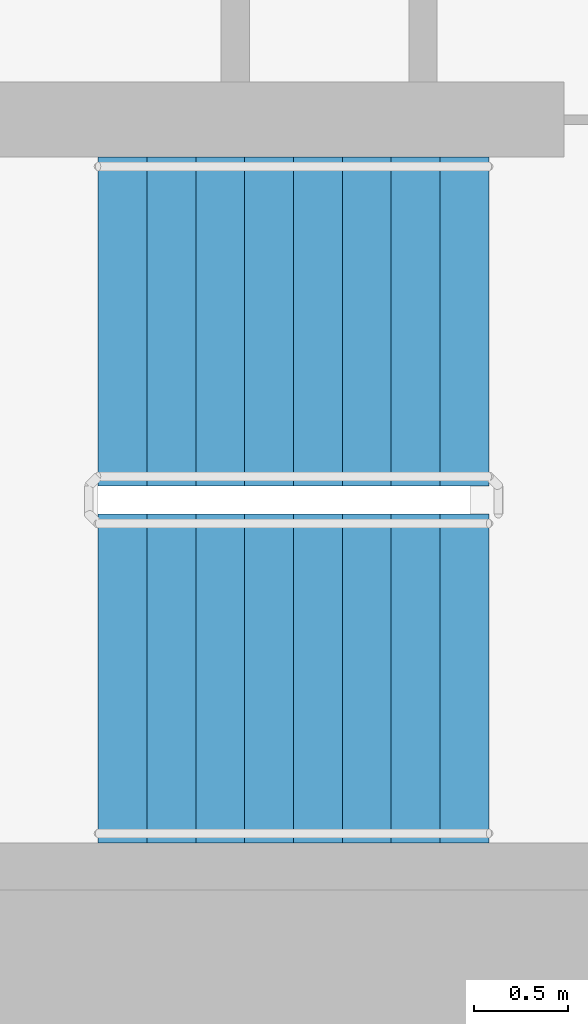
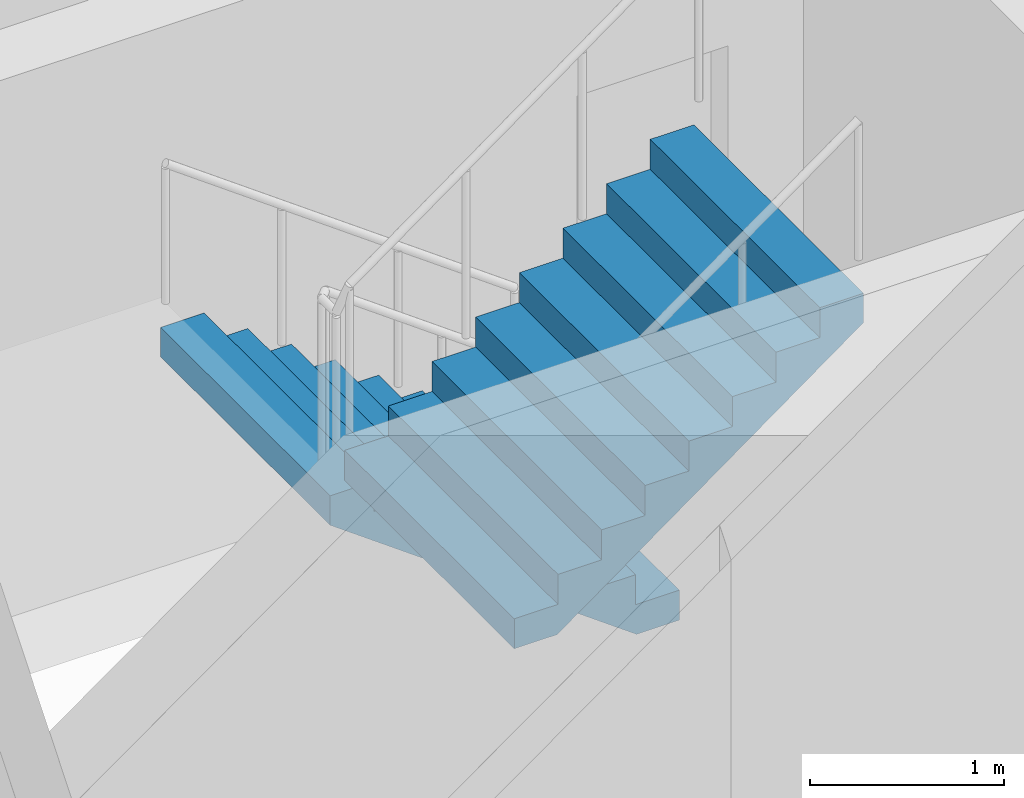
# One storey, part 15 of 21: 2 stair flights, 1 element without a shape of its own.
"""IFC4 building model written with IfcOpenShell, lengths in metres."""

from ifc_helpers import new_model, si_unit, direction, frame, origin, place, context, subcontext, project, spatial, faceted_brep, material, type_object, element, aggregate, save


model = new_model("IFC4")

# Units and contexts
model_context = context("Model", 3, precision=1e-05, world=origin(), true_north=direction((0.0, 1.0)))
body_context = subcontext(model_context, "Body", "Model", "MODEL_VIEW")
ifc_project = project(units=[si_unit("LENGTHUNIT", "METRE"), si_unit("AREAUNIT", "SQUARE_METRE"), si_unit("VOLUMEUNIT", "CUBIC_METRE"), si_unit("PLANEANGLEUNIT", "RADIAN"), si_unit("MASSUNIT", "GRAM", prefix="KILO")], contexts=[model_context])

# Site, building, storey
site_placement = place(None, origin())
site = spatial("IfcSite", under=ifc_project, at=site_placement, CompositionType="ELEMENT")
building_placement = place(site_placement, origin())
building = spatial("IfcBuilding", under=site, at=building_placement, Name="Ipe Terrace Towers", CompositionType="ELEMENT")
storey_placement = place(building_placement, frame((0.0, 0.0, 114.0)))
storey = spatial("IfcBuildingStorey", under=building, at=storey_placement, Name="L31", CompositionType="ELEMENT", Elevation=114.0)

# Stair, stair flights
ifc_material_1 = material(Name="Concrete C30/37", Category="concrete")
stair_type = type_object("IfcStairType", Name="Protected exit stair", PredefinedType="HALF_TURN_STAIR", material=ifc_material_1)
stair_placement = place(storey_placement, origin())
stair = element("IfcStair", 1, at=stair_placement, inside=storey, type_object=stair_type, Name="L31 Exit stair T1-C2", PredefinedType="HALF_TURN_STAIR")
ifc_material_2 = material(Name="Concrete C30/37", Category="concrete")
stair_flight_type = type_object("IfcStairFlightType", Name="Exit stair flight 1750", PredefinedType="STRAIGHT", material=ifc_material_2)
stair_flight_1_placement = place(storey_placement, frame((-45.699951171875, -2.77490234375, 0.0), z_axis=(0.0, 0.0, 1.0), x_axis=(-1.0, 0.0, 0.0)))
stair_flight_1 = element("IfcStairFlight", 2, at=stair_flight_1_placement, type_object=stair_flight_type, Name="T1-ST2 flight 1", NumberOfRisers=9, NumberOfTreads=8, PredefinedType="STRAIGHT", RiserHeight=0.188888889, TreadLength=0.26, context=body_context, shape_type="Brep", body=[
    faceted_brep([(0.255126953125, -0.875, 0.0), (2.080078125, -0.875, 1.325927734375), (2.080078125, -0.875, 1.51123046875), (1.820068359375, -0.875, 1.51123046875), (1.820068359375, -0.875, 1.322265625), (1.56005859375, -0.875, 1.322265625), (1.56005859375, -0.875, 1.13330078125), (1.300048828125, -0.875, 1.13330078125), (1.300048828125, -0.875, 0.9443359375), (1.0400390625, -0.875, 0.9443359375), (1.0400390625, -0.875, 0.755615234375), (0.780029296875, -0.875, 0.755615234375), (0.780029296875, -0.875, 0.566650390625), (0.52001953125, -0.875, 0.566650390625), (0.52001953125, -0.875, 0.377685546875), (0.260009765625, -0.875, 0.377685546875), (0.260009765625, -0.875, 0.18896484375), (0.0, -0.875, 0.18896484375), (0.0, -0.875, 0.0), (0.0, 0.875, 0.0), (0.0, 0.875, 0.18896484375), (0.260009765625, 0.875, 0.18896484375), (0.260009765625, 0.875, 0.377685546875), (0.52001953125, 0.875, 0.377685546875), (0.52001953125, 0.875, 0.566650390625), (0.780029296875, 0.875, 0.566650390625), (0.780029296875, 0.875, 0.755615234375), (1.0400390625, 0.875, 0.755615234375), (1.0400390625, 0.875, 0.9443359375), (1.300048828125, 0.875, 0.9443359375), (1.300048828125, 0.875, 1.13330078125), (1.56005859375, 0.875, 1.13330078125), (1.56005859375, 0.875, 1.322265625), (1.820068359375, 0.875, 1.322265625), (1.820068359375, 0.875, 1.51123046875), (2.080078125, 0.875, 1.51123046875), (2.080078125, 0.875, 1.325927734375), (0.255126953125, 0.875, 0.0), (0.0, -0.300048828125, 0.18896484375), (0.0, -0.1201171875, 0.18896484375), (0.0, -0.06005859375, 0.18896484375), (0.0, -0.030029296875, 0.18896484375), (0.0, -0.010009765625, 0.18896484375), (0.0, 0.0, 0.18896484375), (0.0, 0.010009765625, 0.18896484375), (0.0, 0.030029296875, 0.18896484375), (0.0, 0.06005859375, 0.18896484375), (0.0, 0.1201171875, 0.18896484375), (0.0, 0.300048828125, 0.18896484375), (0.0, 0.300048828125, 0.0), (0.0, 0.1201171875, 0.0), (0.0, 0.06005859375, 0.0), (0.0, 0.030029296875, 0.0), (0.0, 0.010009765625, 0.0), (0.0, 0.0, 0.0), (0.0, -0.010009765625, 0.0), (0.0, -0.030029296875, 0.0), (0.0, -0.06005859375, 0.0), (0.0, -0.1201171875, 0.0), (0.0, -0.300048828125, 0.0), (0.260009765625, -0.300048828125, 0.18896484375), (0.260009765625, -0.1201171875, 0.18896484375), (0.260009765625, -0.06005859375, 0.18896484375), (0.260009765625, -0.030029296875, 0.18896484375), (0.260009765625, -0.010009765625, 0.18896484375), (0.260009765625, 0.0, 0.18896484375), (0.260009765625, 0.010009765625, 0.18896484375), (0.260009765625, 0.030029296875, 0.18896484375), (0.260009765625, 0.06005859375, 0.18896484375), (0.260009765625, 0.1201171875, 0.18896484375), (0.260009765625, 0.300048828125, 0.18896484375), (0.260009765625, -0.300048828125, 0.377685546875), (0.260009765625, -0.1201171875, 0.377685546875), (0.260009765625, -0.06005859375, 0.377685546875), (0.260009765625, -0.030029296875, 0.377685546875), (0.260009765625, -0.010009765625, 0.377685546875), (0.260009765625, 0.0, 0.377685546875), (0.260009765625, 0.010009765625, 0.377685546875), (0.260009765625, 0.030029296875, 0.377685546875), (0.260009765625, 0.06005859375, 0.377685546875), (0.260009765625, 0.1201171875, 0.377685546875), (0.260009765625, 0.300048828125, 0.377685546875), (0.52001953125, -0.300048828125, 0.377685546875), (0.52001953125, -0.1201171875, 0.377685546875), (0.52001953125, -0.06005859375, 0.377685546875), (0.52001953125, -0.030029296875, 0.377685546875), (0.52001953125, -0.010009765625, 0.377685546875), (0.52001953125, 0.0, 0.377685546875), (0.52001953125, 0.010009765625, 0.377685546875), (0.52001953125, 0.030029296875, 0.377685546875), (0.52001953125, 0.06005859375, 0.377685546875), (0.52001953125, 0.1201171875, 0.377685546875), (0.52001953125, 0.300048828125, 0.377685546875), (0.52001953125, -0.300048828125, 0.566650390625), (0.52001953125, -0.1201171875, 0.566650390625), (0.52001953125, -0.06005859375, 0.566650390625), (0.52001953125, -0.030029296875, 0.566650390625), (0.52001953125, -0.010009765625, 0.566650390625), (0.52001953125, 0.0, 0.566650390625), (0.52001953125, 0.010009765625, 0.566650390625), (0.52001953125, 0.030029296875, 0.566650390625), (0.52001953125, 0.06005859375, 0.566650390625), (0.52001953125, 0.1201171875, 0.566650390625), (0.52001953125, 0.300048828125, 0.566650390625), (0.780029296875, -0.300048828125, 0.566650390625), (0.780029296875, -0.1201171875, 0.566650390625), (0.780029296875, -0.06005859375, 0.566650390625), (0.780029296875, -0.030029296875, 0.566650390625), (0.780029296875, -0.010009765625, 0.566650390625), (0.780029296875, 0.0, 0.566650390625), (0.780029296875, 0.010009765625, 0.566650390625), (0.780029296875, 0.030029296875, 0.566650390625), (0.780029296875, 0.06005859375, 0.566650390625), (0.780029296875, 0.1201171875, 0.566650390625), (0.780029296875, 0.300048828125, 0.566650390625), (0.780029296875, -0.300048828125, 0.755615234375), (0.780029296875, -0.1201171875, 0.755615234375), (0.780029296875, -0.06005859375, 0.755615234375), (0.780029296875, -0.030029296875, 0.755615234375), (0.780029296875, -0.010009765625, 0.755615234375), (0.780029296875, 0.0, 0.755615234375), (0.780029296875, 0.010009765625, 0.755615234375), (0.780029296875, 0.030029296875, 0.755615234375), (0.780029296875, 0.06005859375, 0.755615234375), (0.780029296875, 0.1201171875, 0.755615234375), (0.780029296875, 0.300048828125, 0.755615234375), (1.0400390625, -0.300048828125, 0.755615234375), (1.0400390625, -0.1201171875, 0.755615234375), (1.0400390625, -0.06005859375, 0.755615234375), (1.0400390625, -0.030029296875, 0.755615234375), (1.0400390625, -0.010009765625, 0.755615234375), (1.0400390625, 0.0, 0.755615234375), (1.0400390625, 0.010009765625, 0.755615234375), (1.0400390625, 0.030029296875, 0.755615234375), (1.0400390625, 0.06005859375, 0.755615234375), (1.0400390625, 0.1201171875, 0.755615234375), (1.0400390625, 0.300048828125, 0.755615234375), (1.0400390625, -0.300048828125, 0.9443359375), (1.0400390625, -0.1201171875, 0.9443359375), (1.0400390625, -0.06005859375, 0.9443359375), (1.0400390625, -0.030029296875, 0.9443359375), (1.0400390625, -0.010009765625, 0.9443359375), (1.0400390625, 0.0, 0.9443359375), (1.0400390625, 0.010009765625, 0.9443359375), (1.0400390625, 0.030029296875, 0.9443359375), (1.0400390625, 0.06005859375, 0.9443359375), (1.0400390625, 0.1201171875, 0.9443359375), (1.0400390625, 0.300048828125, 0.9443359375), (1.300048828125, -0.300048828125, 0.9443359375), (1.300048828125, -0.1201171875, 0.9443359375), (1.300048828125, -0.06005859375, 0.9443359375), (1.300048828125, -0.030029296875, 0.9443359375), (1.300048828125, -0.010009765625, 0.9443359375), (1.300048828125, 0.0, 0.9443359375), (1.300048828125, 0.010009765625, 0.9443359375), (1.300048828125, 0.030029296875, 0.9443359375), (1.300048828125, 0.06005859375, 0.9443359375), (1.300048828125, 0.1201171875, 0.9443359375), (1.300048828125, 0.300048828125, 0.9443359375), (1.300048828125, -0.300048828125, 1.13330078125), (1.300048828125, -0.1201171875, 1.13330078125), (1.300048828125, -0.06005859375, 1.13330078125), (1.300048828125, -0.030029296875, 1.13330078125), (1.300048828125, -0.010009765625, 1.13330078125), (1.300048828125, 0.0, 1.13330078125), (1.300048828125, 0.010009765625, 1.13330078125), (1.300048828125, 0.030029296875, 1.13330078125), (1.300048828125, 0.06005859375, 1.13330078125), (1.300048828125, 0.1201171875, 1.13330078125), (1.300048828125, 0.300048828125, 1.13330078125), (1.56005859375, -0.300048828125, 1.13330078125), (1.56005859375, -0.1201171875, 1.13330078125), (1.56005859375, -0.06005859375, 1.13330078125), (1.56005859375, -0.030029296875, 1.13330078125), (1.56005859375, -0.010009765625, 1.13330078125), (1.56005859375, 0.0, 1.13330078125), (1.56005859375, 0.010009765625, 1.13330078125), (1.56005859375, 0.030029296875, 1.13330078125), (1.56005859375, 0.06005859375, 1.13330078125), (1.56005859375, 0.1201171875, 1.13330078125), (1.56005859375, 0.300048828125, 1.13330078125), (1.56005859375, -0.300048828125, 1.322265625), (1.56005859375, -0.1201171875, 1.322265625), (1.56005859375, -0.06005859375, 1.322265625), (1.56005859375, -0.030029296875, 1.322265625), (1.56005859375, -0.010009765625, 1.322265625), (1.56005859375, 0.0, 1.322265625), (1.56005859375, 0.010009765625, 1.322265625), (1.56005859375, 0.030029296875, 1.322265625), (1.56005859375, 0.06005859375, 1.322265625), (1.56005859375, 0.1201171875, 1.322265625), (1.56005859375, 0.300048828125, 1.322265625), (1.820068359375, -0.300048828125, 1.322265625), (1.820068359375, -0.1201171875, 1.322265625), (1.820068359375, -0.06005859375, 1.322265625), (1.820068359375, -0.030029296875, 1.322265625), (1.820068359375, -0.010009765625, 1.322265625), (1.820068359375, 0.0, 1.322265625), (1.820068359375, 0.010009765625, 1.322265625), (1.820068359375, 0.030029296875, 1.322265625), (1.820068359375, 0.06005859375, 1.322265625), (1.820068359375, 0.1201171875, 1.322265625), (1.820068359375, 0.300048828125, 1.322265625), (1.820068359375, -0.300048828125, 1.51123046875), (1.820068359375, -0.1201171875, 1.51123046875), (1.820068359375, -0.06005859375, 1.51123046875), (1.820068359375, -0.030029296875, 1.51123046875), (1.820068359375, -0.010009765625, 1.51123046875), (1.820068359375, 0.0, 1.51123046875), (1.820068359375, 0.010009765625, 1.51123046875), (1.820068359375, 0.030029296875, 1.51123046875), (1.820068359375, 0.06005859375, 1.51123046875), (1.820068359375, 0.1201171875, 1.51123046875), (1.820068359375, 0.300048828125, 1.51123046875), (2.080078125, -0.300048828125, 1.51123046875), (2.080078125, -0.1201171875, 1.51123046875), (2.080078125, -0.06005859375, 1.51123046875), (2.080078125, -0.030029296875, 1.51123046875), (2.080078125, -0.010009765625, 1.51123046875), (2.080078125, 0.0, 1.51123046875), (2.080078125, 0.010009765625, 1.51123046875), (2.080078125, 0.030029296875, 1.51123046875), (2.080078125, 0.06005859375, 1.51123046875), (2.080078125, 0.1201171875, 1.51123046875), (2.080078125, 0.300048828125, 1.51123046875), (2.080078125, -0.300048828125, 1.325927734375), (2.080078125, -0.1201171875, 1.325927734375), (2.080078125, -0.06005859375, 1.325927734375), (2.080078125, -0.030029296875, 1.325927734375), (2.080078125, -0.010009765625, 1.325927734375), (2.080078125, 0.0, 1.325927734375), (2.080078125, 0.010009765625, 1.325927734375), (2.080078125, 0.030029296875, 1.325927734375), (2.080078125, 0.06005859375, 1.325927734375), (2.080078125, 0.1201171875, 1.325927734375), (2.080078125, 0.300048828125, 1.325927734375), (0.255126953125, -0.300048828125, 0.0), (0.255126953125, -0.1201171875, 0.0), (0.255126953125, -0.06005859375, 0.0), (0.255126953125, -0.030029296875, 0.0), (0.255126953125, -0.010009765625, 0.0), (0.255126953125, 0.0, 0.0), (0.255126953125, 0.010009765625, 0.0), (0.255126953125, 0.030029296875, 0.0), (0.255126953125, 0.06005859375, 0.0), (0.255126953125, 0.1201171875, 0.0), (0.255126953125, 0.300048828125, 0.0)], [[[0, 1, 2, 3, 4, 5, 6, 7, 8, 9, 10, 11, 12, 13, 14, 15, 16, 17, 18]], [[19, 20, 21, 22, 23, 24, 25, 26, 27, 28, 29, 30, 31, 32, 33, 34, 35, 36, 37]], [[17, 38, 39, 40, 41, 42, 43, 44, 45, 46, 47, 48, 20, 19, 49, 50, 51, 52, 53, 54, 55, 56, 57, 58, 59, 18]], [[16, 60, 61, 62, 63, 64, 65, 66, 67, 68, 69, 70, 21, 20, 48, 47, 46, 45, 44, 43, 42, 41, 40, 39, 38, 17]], [[15, 71, 72, 73, 74, 75, 76, 77, 78, 79, 80, 81, 22, 21, 70, 69, 68, 67, 66, 65, 64, 63, 62, 61, 60, 16]], [[14, 82, 83, 84, 85, 86, 87, 88, 89, 90, 91, 92, 23, 22, 81, 80, 79, 78, 77, 76, 75, 74, 73, 72, 71, 15]], [[13, 93, 94, 95, 96, 97, 98, 99, 100, 101, 102, 103, 24, 23, 92, 91, 90, 89, 88, 87, 86, 85, 84, 83, 82, 14]], [[12, 104, 105, 106, 107, 108, 109, 110, 111, 112, 113, 114, 25, 24, 103, 102, 101, 100, 99, 98, 97, 96, 95, 94, 93, 13]], [[11, 115, 116, 117, 118, 119, 120, 121, 122, 123, 124, 125, 26, 25, 114, 113, 112, 111, 110, 109, 108, 107, 106, 105, 104, 12]], [[10, 126, 127, 128, 129, 130, 131, 132, 133, 134, 135, 136, 27, 26, 125, 124, 123, 122, 121, 120, 119, 118, 117, 116, 115, 11]], [[9, 137, 138, 139, 140, 141, 142, 143, 144, 145, 146, 147, 28, 27, 136, 135, 134, 133, 132, 131, 130, 129, 128, 127, 126, 10]], [[8, 148, 149, 150, 151, 152, 153, 154, 155, 156, 157, 158, 29, 28, 147, 146, 145, 144, 143, 142, 141, 140, 139, 138, 137, 9]], [[7, 159, 160, 161, 162, 163, 164, 165, 166, 167, 168, 169, 30, 29, 158, 157, 156, 155, 154, 153, 152, 151, 150, 149, 148, 8]], [[6, 170, 171, 172, 173, 174, 175, 176, 177, 178, 179, 180, 31, 30, 169, 168, 167, 166, 165, 164, 163, 162, 161, 160, 159, 7]], [[5, 181, 182, 183, 184, 185, 186, 187, 188, 189, 190, 191, 32, 31, 180, 179, 178, 177, 176, 175, 174, 173, 172, 171, 170, 6]], [[4, 192, 193, 194, 195, 196, 197, 198, 199, 200, 201, 202, 33, 32, 191, 190, 189, 188, 187, 186, 185, 184, 183, 182, 181, 5]], [[3, 203, 204, 205, 206, 207, 208, 209, 210, 211, 212, 213, 34, 33, 202, 201, 200, 199, 198, 197, 196, 195, 194, 193, 192, 4]], [[2, 214, 215, 216, 217, 218, 219, 220, 221, 222, 223, 224, 35, 34, 213, 212, 211, 210, 209, 208, 207, 206, 205, 204, 203, 3]], [[1, 225, 226, 227, 228, 229, 230, 231, 232, 233, 234, 235, 36, 35, 224, 223, 222, 221, 220, 219, 218, 217, 216, 215, 214, 2]], [[0, 236, 237, 238, 239, 240, 241, 242, 243, 244, 245, 246, 37, 36, 235, 234, 233, 232, 231, 230, 229, 228, 227, 226, 225, 1]], [[18, 59, 58, 57, 56, 55, 54, 53, 52, 51, 50, 49, 19, 37, 246, 245, 244, 243, 242, 241, 240, 239, 238, 237, 236, 0]]]),
])
stair_flight_2_placement = place(storey_placement, frame((-47.780029296875, -4.675048828125, 1.699951171875), z_axis=(0.0, 0.0, 1.0), x_axis=(1.0, 0.0, 0.0)))
stair_flight_2 = element("IfcStairFlight", 3, at=stair_flight_2_placement, type_object=stair_flight_type, Name="T1-ST2 flight 2", NumberOfRisers=9, NumberOfTreads=8, PredefinedType="STRAIGHT", RiserHeight=0.188888889, TreadLength=0.26, context=body_context, shape_type="Brep", body=[
    faceted_brep([(0.255126953125, -0.875, 0.0), (2.080078125, -0.875, 1.325927734375), (2.080078125, -0.875, 1.51123046875), (1.820068359375, -0.875, 1.51123046875), (1.820068359375, -0.875, 1.322265625), (1.56005859375, -0.875, 1.322265625), (1.56005859375, -0.875, 1.13330078125), (1.300048828125, -0.875, 1.13330078125), (1.300048828125, -0.875, 0.9443359375), (1.0400390625, -0.875, 0.9443359375), (1.0400390625, -0.875, 0.755615234375), (0.780029296875, -0.875, 0.755615234375), (0.780029296875, -0.875, 0.566650390625), (0.52001953125, -0.875, 0.566650390625), (0.52001953125, -0.875, 0.377685546875), (0.260009765625, -0.875, 0.377685546875), (0.260009765625, -0.875, 0.18896484375), (0.0, -0.875, 0.18896484375), (0.0, -0.875, 0.0), (0.0, 0.875, 0.0), (0.0, 0.875, 0.18896484375), (0.260009765625, 0.875, 0.18896484375), (0.260009765625, 0.875, 0.377685546875), (0.52001953125, 0.875, 0.377685546875), (0.52001953125, 0.875, 0.566650390625), (0.780029296875, 0.875, 0.566650390625), (0.780029296875, 0.875, 0.755615234375), (1.0400390625, 0.875, 0.755615234375), (1.0400390625, 0.875, 0.9443359375), (1.300048828125, 0.875, 0.9443359375), (1.300048828125, 0.875, 1.13330078125), (1.56005859375, 0.875, 1.13330078125), (1.56005859375, 0.875, 1.322265625), (1.820068359375, 0.875, 1.322265625), (1.820068359375, 0.875, 1.51123046875), (2.080078125, 0.875, 1.51123046875), (2.080078125, 0.875, 1.325927734375), (0.255126953125, 0.875, 0.0), (0.0, -0.300048828125, 0.18896484375), (0.0, -0.1201171875, 0.18896484375), (0.0, -0.06005859375, 0.18896484375), (0.0, -0.030029296875, 0.18896484375), (0.0, -0.010009765625, 0.18896484375), (0.0, 0.0, 0.18896484375), (0.0, 0.010009765625, 0.18896484375), (0.0, 0.030029296875, 0.18896484375), (0.0, 0.06005859375, 0.18896484375), (0.0, 0.1201171875, 0.18896484375), (0.0, 0.300048828125, 0.18896484375), (0.0, 0.300048828125, 0.0), (0.0, 0.1201171875, 0.0), (0.0, 0.06005859375, 0.0), (0.0, 0.030029296875, 0.0), (0.0, 0.010009765625, 0.0), (0.0, 0.0, 0.0), (0.0, -0.010009765625, 0.0), (0.0, -0.030029296875, 0.0), (0.0, -0.06005859375, 0.0), (0.0, -0.1201171875, 0.0), (0.0, -0.300048828125, 0.0), (0.260009765625, -0.300048828125, 0.18896484375), (0.260009765625, -0.1201171875, 0.18896484375), (0.260009765625, -0.06005859375, 0.18896484375), (0.260009765625, -0.030029296875, 0.18896484375), (0.260009765625, -0.010009765625, 0.18896484375), (0.260009765625, 0.0, 0.18896484375), (0.260009765625, 0.010009765625, 0.18896484375), (0.260009765625, 0.030029296875, 0.18896484375), (0.260009765625, 0.06005859375, 0.18896484375), (0.260009765625, 0.1201171875, 0.18896484375), (0.260009765625, 0.300048828125, 0.18896484375), (0.260009765625, -0.300048828125, 0.377685546875), (0.260009765625, -0.1201171875, 0.377685546875), (0.260009765625, -0.06005859375, 0.377685546875), (0.260009765625, -0.030029296875, 0.377685546875), (0.260009765625, -0.010009765625, 0.377685546875), (0.260009765625, 0.0, 0.377685546875), (0.260009765625, 0.010009765625, 0.377685546875), (0.260009765625, 0.030029296875, 0.377685546875), (0.260009765625, 0.06005859375, 0.377685546875), (0.260009765625, 0.1201171875, 0.377685546875), (0.260009765625, 0.300048828125, 0.377685546875), (0.52001953125, -0.300048828125, 0.377685546875), (0.52001953125, -0.1201171875, 0.377685546875), (0.52001953125, -0.06005859375, 0.377685546875), (0.52001953125, -0.030029296875, 0.377685546875), (0.52001953125, -0.010009765625, 0.377685546875), (0.52001953125, 0.0, 0.377685546875), (0.52001953125, 0.010009765625, 0.377685546875), (0.52001953125, 0.030029296875, 0.377685546875), (0.52001953125, 0.06005859375, 0.377685546875), (0.52001953125, 0.1201171875, 0.377685546875), (0.52001953125, 0.300048828125, 0.377685546875), (0.52001953125, -0.300048828125, 0.566650390625), (0.52001953125, -0.1201171875, 0.566650390625), (0.52001953125, -0.06005859375, 0.566650390625), (0.52001953125, -0.030029296875, 0.566650390625), (0.52001953125, -0.010009765625, 0.566650390625), (0.52001953125, 0.0, 0.566650390625), (0.52001953125, 0.010009765625, 0.566650390625), (0.52001953125, 0.030029296875, 0.566650390625), (0.52001953125, 0.06005859375, 0.566650390625), (0.52001953125, 0.1201171875, 0.566650390625), (0.52001953125, 0.300048828125, 0.566650390625), (0.780029296875, -0.300048828125, 0.566650390625), (0.780029296875, -0.1201171875, 0.566650390625), (0.780029296875, -0.06005859375, 0.566650390625), (0.780029296875, -0.030029296875, 0.566650390625), (0.780029296875, -0.010009765625, 0.566650390625), (0.780029296875, 0.0, 0.566650390625), (0.780029296875, 0.010009765625, 0.566650390625), (0.780029296875, 0.030029296875, 0.566650390625), (0.780029296875, 0.06005859375, 0.566650390625), (0.780029296875, 0.1201171875, 0.566650390625), (0.780029296875, 0.300048828125, 0.566650390625), (0.780029296875, -0.300048828125, 0.755615234375), (0.780029296875, -0.1201171875, 0.755615234375), (0.780029296875, -0.06005859375, 0.755615234375), (0.780029296875, -0.030029296875, 0.755615234375), (0.780029296875, -0.010009765625, 0.755615234375), (0.780029296875, 0.0, 0.755615234375), (0.780029296875, 0.010009765625, 0.755615234375), (0.780029296875, 0.030029296875, 0.755615234375), (0.780029296875, 0.06005859375, 0.755615234375), (0.780029296875, 0.1201171875, 0.755615234375), (0.780029296875, 0.300048828125, 0.755615234375), (1.0400390625, -0.300048828125, 0.755615234375), (1.0400390625, -0.1201171875, 0.755615234375), (1.0400390625, -0.06005859375, 0.755615234375), (1.0400390625, -0.030029296875, 0.755615234375), (1.0400390625, -0.010009765625, 0.755615234375), (1.0400390625, 0.0, 0.755615234375), (1.0400390625, 0.010009765625, 0.755615234375), (1.0400390625, 0.030029296875, 0.755615234375), (1.0400390625, 0.06005859375, 0.755615234375), (1.0400390625, 0.1201171875, 0.755615234375), (1.0400390625, 0.300048828125, 0.755615234375), (1.0400390625, -0.300048828125, 0.9443359375), (1.0400390625, -0.1201171875, 0.9443359375), (1.0400390625, -0.06005859375, 0.9443359375), (1.0400390625, -0.030029296875, 0.9443359375), (1.0400390625, -0.010009765625, 0.9443359375), (1.0400390625, 0.0, 0.9443359375), (1.0400390625, 0.010009765625, 0.9443359375), (1.0400390625, 0.030029296875, 0.9443359375), (1.0400390625, 0.06005859375, 0.9443359375), (1.0400390625, 0.1201171875, 0.9443359375), (1.0400390625, 0.300048828125, 0.9443359375), (1.300048828125, -0.300048828125, 0.9443359375), (1.300048828125, -0.1201171875, 0.9443359375), (1.300048828125, -0.06005859375, 0.9443359375), (1.300048828125, -0.030029296875, 0.9443359375), (1.300048828125, -0.010009765625, 0.9443359375), (1.300048828125, 0.0, 0.9443359375), (1.300048828125, 0.010009765625, 0.9443359375), (1.300048828125, 0.030029296875, 0.9443359375), (1.300048828125, 0.06005859375, 0.9443359375), (1.300048828125, 0.1201171875, 0.9443359375), (1.300048828125, 0.300048828125, 0.9443359375), (1.300048828125, -0.300048828125, 1.13330078125), (1.300048828125, -0.1201171875, 1.13330078125), (1.300048828125, -0.06005859375, 1.13330078125), (1.300048828125, -0.030029296875, 1.13330078125), (1.300048828125, -0.010009765625, 1.13330078125), (1.300048828125, 0.0, 1.13330078125), (1.300048828125, 0.010009765625, 1.13330078125), (1.300048828125, 0.030029296875, 1.13330078125), (1.300048828125, 0.06005859375, 1.13330078125), (1.300048828125, 0.1201171875, 1.13330078125), (1.300048828125, 0.300048828125, 1.13330078125), (1.56005859375, -0.300048828125, 1.13330078125), (1.56005859375, -0.1201171875, 1.13330078125), (1.56005859375, -0.06005859375, 1.13330078125), (1.56005859375, -0.030029296875, 1.13330078125), (1.56005859375, -0.010009765625, 1.13330078125), (1.56005859375, 0.0, 1.13330078125), (1.56005859375, 0.010009765625, 1.13330078125), (1.56005859375, 0.030029296875, 1.13330078125), (1.56005859375, 0.06005859375, 1.13330078125), (1.56005859375, 0.1201171875, 1.13330078125), (1.56005859375, 0.300048828125, 1.13330078125), (1.56005859375, -0.300048828125, 1.322265625), (1.56005859375, -0.1201171875, 1.322265625), (1.56005859375, -0.06005859375, 1.322265625), (1.56005859375, -0.030029296875, 1.322265625), (1.56005859375, -0.010009765625, 1.322265625), (1.56005859375, 0.0, 1.322265625), (1.56005859375, 0.010009765625, 1.322265625), (1.56005859375, 0.030029296875, 1.322265625), (1.56005859375, 0.06005859375, 1.322265625), (1.56005859375, 0.1201171875, 1.322265625), (1.56005859375, 0.300048828125, 1.322265625), (1.820068359375, -0.300048828125, 1.322265625), (1.820068359375, -0.1201171875, 1.322265625), (1.820068359375, -0.06005859375, 1.322265625), (1.820068359375, -0.030029296875, 1.322265625), (1.820068359375, -0.010009765625, 1.322265625), (1.820068359375, 0.0, 1.322265625), (1.820068359375, 0.010009765625, 1.322265625), (1.820068359375, 0.030029296875, 1.322265625), (1.820068359375, 0.06005859375, 1.322265625), (1.820068359375, 0.1201171875, 1.322265625), (1.820068359375, 0.300048828125, 1.322265625), (1.820068359375, -0.300048828125, 1.51123046875), (1.820068359375, -0.1201171875, 1.51123046875), (1.820068359375, -0.06005859375, 1.51123046875), (1.820068359375, -0.030029296875, 1.51123046875), (1.820068359375, -0.010009765625, 1.51123046875), (1.820068359375, 0.0, 1.51123046875), (1.820068359375, 0.010009765625, 1.51123046875), (1.820068359375, 0.030029296875, 1.51123046875), (1.820068359375, 0.06005859375, 1.51123046875), (1.820068359375, 0.1201171875, 1.51123046875), (1.820068359375, 0.300048828125, 1.51123046875), (2.080078125, -0.300048828125, 1.51123046875), (2.080078125, -0.1201171875, 1.51123046875), (2.080078125, -0.06005859375, 1.51123046875), (2.080078125, -0.030029296875, 1.51123046875), (2.080078125, -0.010009765625, 1.51123046875), (2.080078125, 0.0, 1.51123046875), (2.080078125, 0.010009765625, 1.51123046875), (2.080078125, 0.030029296875, 1.51123046875), (2.080078125, 0.06005859375, 1.51123046875), (2.080078125, 0.1201171875, 1.51123046875), (2.080078125, 0.300048828125, 1.51123046875), (2.080078125, -0.300048828125, 1.325927734375), (2.080078125, -0.1201171875, 1.325927734375), (2.080078125, -0.06005859375, 1.325927734375), (2.080078125, -0.030029296875, 1.325927734375), (2.080078125, -0.010009765625, 1.325927734375), (2.080078125, 0.0, 1.325927734375), (2.080078125, 0.010009765625, 1.325927734375), (2.080078125, 0.030029296875, 1.325927734375), (2.080078125, 0.06005859375, 1.325927734375), (2.080078125, 0.1201171875, 1.325927734375), (2.080078125, 0.300048828125, 1.325927734375), (0.255126953125, -0.300048828125, 0.0), (0.255126953125, -0.1201171875, 0.0), (0.255126953125, -0.06005859375, 0.0), (0.255126953125, -0.030029296875, 0.0), (0.255126953125, -0.010009765625, 0.0), (0.255126953125, 0.0, 0.0), (0.255126953125, 0.010009765625, 0.0), (0.255126953125, 0.030029296875, 0.0), (0.255126953125, 0.06005859375, 0.0), (0.255126953125, 0.1201171875, 0.0), (0.255126953125, 0.300048828125, 0.0)], [[[0, 1, 2, 3, 4, 5, 6, 7, 8, 9, 10, 11, 12, 13, 14, 15, 16, 17, 18]], [[19, 20, 21, 22, 23, 24, 25, 26, 27, 28, 29, 30, 31, 32, 33, 34, 35, 36, 37]], [[17, 38, 39, 40, 41, 42, 43, 44, 45, 46, 47, 48, 20, 19, 49, 50, 51, 52, 53, 54, 55, 56, 57, 58, 59, 18]], [[16, 60, 61, 62, 63, 64, 65, 66, 67, 68, 69, 70, 21, 20, 48, 47, 46, 45, 44, 43, 42, 41, 40, 39, 38, 17]], [[15, 71, 72, 73, 74, 75, 76, 77, 78, 79, 80, 81, 22, 21, 70, 69, 68, 67, 66, 65, 64, 63, 62, 61, 60, 16]], [[14, 82, 83, 84, 85, 86, 87, 88, 89, 90, 91, 92, 23, 22, 81, 80, 79, 78, 77, 76, 75, 74, 73, 72, 71, 15]], [[13, 93, 94, 95, 96, 97, 98, 99, 100, 101, 102, 103, 24, 23, 92, 91, 90, 89, 88, 87, 86, 85, 84, 83, 82, 14]], [[12, 104, 105, 106, 107, 108, 109, 110, 111, 112, 113, 114, 25, 24, 103, 102, 101, 100, 99, 98, 97, 96, 95, 94, 93, 13]], [[11, 115, 116, 117, 118, 119, 120, 121, 122, 123, 124, 125, 26, 25, 114, 113, 112, 111, 110, 109, 108, 107, 106, 105, 104, 12]], [[10, 126, 127, 128, 129, 130, 131, 132, 133, 134, 135, 136, 27, 26, 125, 124, 123, 122, 121, 120, 119, 118, 117, 116, 115, 11]], [[9, 137, 138, 139, 140, 141, 142, 143, 144, 145, 146, 147, 28, 27, 136, 135, 134, 133, 132, 131, 130, 129, 128, 127, 126, 10]], [[8, 148, 149, 150, 151, 152, 153, 154, 155, 156, 157, 158, 29, 28, 147, 146, 145, 144, 143, 142, 141, 140, 139, 138, 137, 9]], [[7, 159, 160, 161, 162, 163, 164, 165, 166, 167, 168, 169, 30, 29, 158, 157, 156, 155, 154, 153, 152, 151, 150, 149, 148, 8]], [[6, 170, 171, 172, 173, 174, 175, 176, 177, 178, 179, 180, 31, 30, 169, 168, 167, 166, 165, 164, 163, 162, 161, 160, 159, 7]], [[5, 181, 182, 183, 184, 185, 186, 187, 188, 189, 190, 191, 32, 31, 180, 179, 178, 177, 176, 175, 174, 173, 172, 171, 170, 6]], [[4, 192, 193, 194, 195, 196, 197, 198, 199, 200, 201, 202, 33, 32, 191, 190, 189, 188, 187, 186, 185, 184, 183, 182, 181, 5]], [[3, 203, 204, 205, 206, 207, 208, 209, 210, 211, 212, 213, 34, 33, 202, 201, 200, 199, 198, 197, 196, 195, 194, 193, 192, 4]], [[2, 214, 215, 216, 217, 218, 219, 220, 221, 222, 223, 224, 35, 34, 213, 212, 211, 210, 209, 208, 207, 206, 205, 204, 203, 3]], [[1, 225, 226, 227, 228, 229, 230, 231, 232, 233, 234, 235, 36, 35, 224, 223, 222, 221, 220, 219, 218, 217, 216, 215, 214, 2]], [[0, 236, 237, 238, 239, 240, 241, 242, 243, 244, 245, 246, 37, 36, 235, 234, 233, 232, 231, 230, 229, 228, 227, 226, 225, 1]], [[18, 59, 58, 57, 56, 55, 54, 53, 52, 51, 50, 49, 19, 37, 246, 245, 244, 243, 242, 241, 240, 239, 238, 237, 236, 0]]]),
])
aggregate(stair, [stair_flight_1, stair_flight_2])

save(model, "model.ifc")
